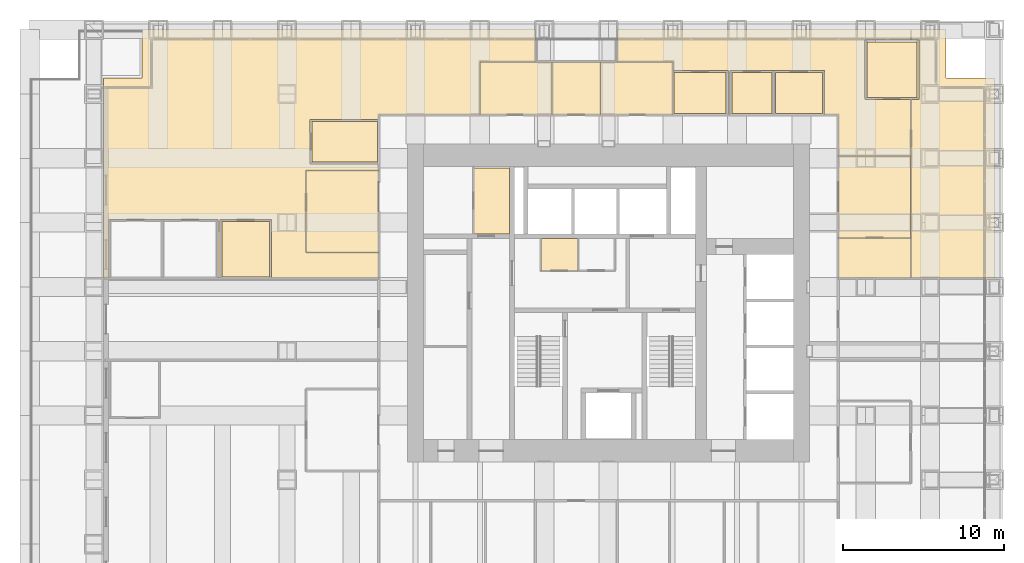
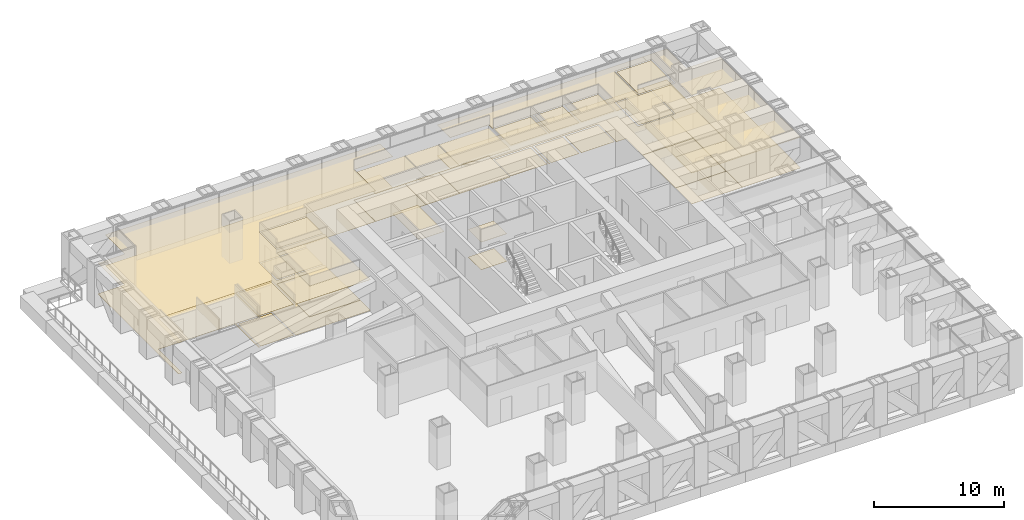
# One storey, part 18 of 18: 31 coverings.
"""IFC4 building model written with IfcOpenShell, lengths in metres."""

from ifc_helpers import new_model, si_unit, direction, frame, origin, place, context, subcontext, project, spatial, polyline, outline, extrude, material, layer, layer_set, type_object, element, save


model = new_model("IFC4")

# Units and contexts
model_context = context("Model", 3, precision=1e-05, world=origin(), true_north=direction((0.0, 1.0)))
body_context = subcontext(model_context, "Body", "Model", "MODEL_VIEW")
ifc_project = project(units=[si_unit("LENGTHUNIT", "METRE"), si_unit("AREAUNIT", "SQUARE_METRE"), si_unit("VOLUMEUNIT", "CUBIC_METRE"), si_unit("PLANEANGLEUNIT", "RADIAN"), si_unit("MASSUNIT", "GRAM", prefix="KILO")], contexts=[model_context])

# Site, building, storey
site_placement = place(None, origin())
site = spatial("IfcSite", under=ifc_project, at=site_placement, CompositionType="ELEMENT")
building_placement = place(site_placement, origin())
building = spatial("IfcBuilding", under=site, at=building_placement, Name="Rimbunsela Tower", CompositionType="ELEMENT")
storey_placement = place(building_placement, frame((0.0, 0.0, 11.0)))
storey = spatial("IfcBuildingStorey", under=building, at=storey_placement, Name="L02", CompositionType="ELEMENT", Elevation=11.0)

# Coverings
ifc_material_1 = material(Name="Nylon carpet tile", Category="textile")
ifc_layer_1 = layer(ifc_material_1, 0.010009765625)
ifc_layer_set_1 = layer_set([ifc_layer_1], Name="Carpet tile 10")
covering_type_1 = type_object("IfcCoveringType", Name="Carpet tile 10", PredefinedType="FLOORING", material=ifc_layer_set_1)
covering_1_placement = place(storey_placement, origin())
element("IfcCovering", 1, at=covering_1_placement, inside=storey, type_object=covering_type_1, Name="Floor finish Open office", PredefinedType="FLOORING", context=body_context, shape_type="SweptSolid", body=[
    extrude(outline(polyline([(11.449951171875, 35.64990234375), (15.699951171875, 35.64990234375), (15.699951171875, 35.25), (11.199951171875, 35.25), (11.199951171875, 30.14990234375), (15.699951171875, 30.14990234375), (15.699951171875, 28.551025390625), (9.030029296875, 28.551025390625), (9.030029296875, 32.199951171875), (5.830078125, 32.199951171875), (5.830078125, 28.551025390625), (5.72998046875, 28.551025390625), (5.72998046875, 32.199951171875), (2.280029296875, 32.199951171875), (2.22998046875, 32.199951171875), (-1.070068359375, 32.199951171875), (-1.070068359375, 28.551025390625), (-1.39990234375, 28.551025390625), (-1.39990234375, 41.0), (1.0, 41.0), (1.0, 44.0), (15.699951171875, 44.0), (25.448974609375, 44.0), (25.448974609375, 42.0), (22.0, 42.0), (22.0, 38.699951171875), (15.699951171875, 38.699951171875), (15.699951171875, 38.39990234375), (11.449951171875, 38.39990234375), (11.449951171875, 35.64990234375)])), origin(), (0.0, 0.0, 1.0), 0.010009765625),
])
covering_2_placement = place(storey_placement, origin())
element("IfcCovering", 2, at=covering_2_placement, inside=storey, type_object=covering_type_1, Name="Floor finish Open office", PredefinedType="FLOORING", context=body_context, shape_type="SweptSolid", body=[
    extrude(outline(polyline([(51.0, 41.0), (54.0, 41.0), (54.0, 28.551025390625), (48.824951171875, 28.551025390625), (48.824951171875, 39.669921875), (49.300048828125, 39.669921875), (49.300048828125, 43.3701171875), (48.824951171875, 43.3701171875), (48.824951171875, 44.0), (51.0, 44.0), (51.0, 41.0)])), origin(), (0.0, 0.0, 1.0), 0.010009765625),
])
covering_3_placement = place(storey_placement, origin())
element("IfcCovering", 3, at=covering_3_placement, inside=storey, type_object=covering_type_1, Name="Floor finish Open office", PredefinedType="FLOORING", context=body_context, shape_type="SweptSolid", body=[
    extrude(outline(polyline([(48.824951171875, 28.551025390625), (44.300048828125, 28.551025390625), (44.300048828125, 31.050048828125), (48.800048828125, 31.050048828125), (48.800048828125, 36.14990234375), (44.300048828125, 36.14990234375), (44.300048828125, 38.699951171875), (43.449951171875, 38.699951171875), (43.449951171875, 41.449951171875), (40.300048828125, 41.449951171875), (40.25, 41.449951171875), (37.550048828125, 41.449951171875), (37.550048828125, 38.699951171875), (37.449951171875, 38.699951171875), (37.449951171875, 41.449951171875), (34.0, 41.449951171875), (34.0, 42.0), (30.551025390625, 42.0), (30.551025390625, 44.0), (44.300048828125, 44.0), (48.824951171875, 44.0), (48.824951171875, 43.3701171875), (45.949951171875, 43.3701171875), (45.949951171875, 39.669921875), (48.824951171875, 39.669921875), (48.824951171875, 28.551025390625)])), origin(), (0.0, 0.0, 1.0), 0.010009765625),
])
covering_4_placement = place(storey_placement, origin())
element("IfcCovering", 4, at=covering_4_placement, inside=storey, type_object=covering_type_1, Name="Floor finish Reception", PredefinedType="FLOORING", context=body_context, shape_type="SweptSolid", body=[
    extrude(outline(polyline([(15.699951171875, 30.14990234375), (15.699951171875, 35.25), (11.199951171875, 35.25), (11.199951171875, 30.14990234375), (15.699951171875, 30.14990234375)])), origin(), (0.0, 0.0, 1.0), 0.010009765625),
])
covering_5_placement = place(storey_placement, origin())
element("IfcCovering", 5, at=covering_5_placement, inside=storey, type_object=covering_type_1, Name="Floor finish Reception", PredefinedType="FLOORING", context=body_context, shape_type="SweptSolid", body=[
    extrude(outline(polyline([(48.800048828125, 31.050048828125), (48.800048828125, 36.14990234375), (44.300048828125, 36.14990234375), (44.300048828125, 31.050048828125), (48.800048828125, 31.050048828125)])), origin(), (0.0, 0.0, 1.0), 0.010009765625),
])
covering_6_placement = place(storey_placement, origin())
element("IfcCovering", 6, at=covering_6_placement, inside=storey, type_object=covering_type_1, Name="Floor finish Print and copy room", PredefinedType="FLOORING", context=body_context, shape_type="SweptSolid", body=[
    extrude(outline(polyline([(15.625, 35.77490234375), (15.625, 38.27490234375), (11.574951171875, 38.27490234375), (11.574951171875, 35.77490234375), (15.625, 35.77490234375)])), origin(), (0.0, 0.0, 1.0), 0.010009765625),
])
covering_7_placement = place(storey_placement, origin())
element("IfcCovering", 7, at=covering_7_placement, inside=storey, type_object=covering_type_1, Name="Floor finish Office", PredefinedType="FLOORING", context=body_context, shape_type="SweptSolid", body=[
    extrude(outline(polyline([(8.905029296875, 28.625), (8.905029296875, 32.074951171875), (5.955078125, 32.074951171875), (5.955078125, 28.625), (8.905029296875, 28.625)])), origin(), (0.0, 0.0, 1.0), 0.010009765625),
])
covering_8_placement = place(storey_placement, origin())
element("IfcCovering", 8, at=covering_8_placement, inside=storey, type_object=covering_type_1, Name="Floor finish Interview room", PredefinedType="FLOORING", context=body_context, shape_type="SweptSolid", body=[
    extrude(outline(polyline([(49.175048828125, 39.794921875), (49.175048828125, 43.2451171875), (46.074951171875, 43.2451171875), (46.074951171875, 39.794921875), (49.175048828125, 39.794921875)])), origin(), (0.0, 0.0, 1.0), 0.010009765625),
])
covering_9_placement = place(storey_placement, origin())
element("IfcCovering", 9, at=covering_9_placement, inside=storey, type_object=covering_type_1, Name="Floor finish Pantry", PredefinedType="FLOORING", context=body_context, shape_type="SweptSolid", body=[
    extrude(outline(polyline([(37.324951171875, 38.77490234375), (37.324951171875, 41.324951171875), (34.074951171875, 41.324951171875), (34.074951171875, 38.77490234375), (37.324951171875, 38.77490234375)])), origin(), (0.0, 0.0, 1.0), 0.010009765625),
])
covering_10_placement = place(storey_placement, origin())
element("IfcCovering", 10, at=covering_10_placement, inside=storey, type_object=covering_type_1, Name="Floor finish Print and copy room", PredefinedType="FLOORING", context=body_context, shape_type="SweptSolid", body=[
    extrude(outline(polyline([(40.175048828125, 38.77490234375), (40.175048828125, 41.324951171875), (37.675048828125, 41.324951171875), (37.675048828125, 38.77490234375), (40.175048828125, 38.77490234375)])), origin(), (0.0, 0.0, 1.0), 0.010009765625),
])
covering_11_placement = place(storey_placement, origin())
element("IfcCovering", 11, at=covering_11_placement, inside=storey, type_object=covering_type_1, Name="Floor finish Office", PredefinedType="FLOORING", context=body_context, shape_type="SweptSolid", body=[
    extrude(outline(polyline([(43.324951171875, 38.77490234375), (43.324951171875, 41.324951171875), (40.375, 41.324951171875), (40.375, 38.77490234375), (43.324951171875, 38.77490234375)])), origin(), (0.0, 0.0, 1.0), 0.010009765625),
])
ifc_material_2 = material(Name="Mineral fibre ceiling tile", Category="gypsum")
ifc_layer_2 = layer(ifc_material_2, 0.02001953125)
ifc_layer_set_2 = layer_set([ifc_layer_2], Name="Ceiling 600 grid")
covering_type_2 = type_object("IfcCoveringType", Name="Ceiling 600 grid", PredefinedType="CEILING", material=ifc_layer_set_2)
covering_12_placement = place(storey_placement, frame((0.0, 0.0, 2.89990234375)))
element("IfcCovering", 12, at=covering_12_placement, inside=storey, type_object=covering_type_2, Name="Ceiling Staff pantry", PredefinedType="CEILING", context=body_context, shape_type="SweptSolid", body=[
    extrude(outline(polyline([(23.85009765625, 31.300048828125), (23.85009765625, 35.39990234375), (21.60009765625, 35.39990234375), (21.60009765625, 31.300048828125), (23.85009765625, 31.300048828125)])), origin(), (0.0, 0.0, 1.0), 0.02001953125),
])
covering_13_placement = place(storey_placement, frame((0.0, 0.0, 2.89990234375)))
element("IfcCovering", 13, at=covering_13_placement, inside=storey, type_object=covering_type_2, Name="Ceiling Open office", PredefinedType="CEILING", context=body_context, shape_type="SweptSolid", body=[
    extrude(outline(polyline([(11.449951171875, 35.64990234375), (15.699951171875, 35.64990234375), (15.699951171875, 35.25), (11.199951171875, 35.25), (11.199951171875, 30.14990234375), (15.699951171875, 30.14990234375), (15.699951171875, 28.551025390625), (9.030029296875, 28.551025390625), (9.030029296875, 32.199951171875), (5.830078125, 32.199951171875), (5.830078125, 28.551025390625), (5.72998046875, 28.551025390625), (5.72998046875, 32.199951171875), (2.280029296875, 32.199951171875), (2.22998046875, 32.199951171875), (-1.070068359375, 32.199951171875), (-1.070068359375, 28.551025390625), (-1.39990234375, 28.551025390625), (-1.39990234375, 41.0), (1.0, 41.0), (1.0, 44.0), (15.699951171875, 44.0), (25.448974609375, 44.0), (25.448974609375, 42.0), (22.0, 42.0), (22.0, 38.699951171875), (15.699951171875, 38.699951171875), (15.699951171875, 38.39990234375), (11.449951171875, 38.39990234375), (11.449951171875, 35.64990234375)])), origin(), (0.0, 0.0, 1.0), 0.02001953125),
])
covering_14_placement = place(storey_placement, frame((0.0, 0.0, 2.89990234375)))
element("IfcCovering", 14, at=covering_14_placement, inside=storey, type_object=covering_type_2, Name="Ceiling Open office", PredefinedType="CEILING", context=body_context, shape_type="SweptSolid", body=[
    extrude(outline(polyline([(51.0, 41.0), (54.0, 41.0), (54.0, 28.551025390625), (48.824951171875, 28.551025390625), (48.824951171875, 39.669921875), (49.300048828125, 39.669921875), (49.300048828125, 43.3701171875), (48.824951171875, 43.3701171875), (48.824951171875, 44.0), (51.0, 44.0), (51.0, 41.0)])), origin(), (0.0, 0.0, 1.0), 0.02001953125),
])
covering_15_placement = place(storey_placement, frame((0.0, 0.0, 2.89990234375)))
element("IfcCovering", 15, at=covering_15_placement, inside=storey, type_object=covering_type_2, Name="Ceiling Open office", PredefinedType="CEILING", context=body_context, shape_type="SweptSolid", body=[
    extrude(outline(polyline([(48.824951171875, 28.551025390625), (44.300048828125, 28.551025390625), (44.300048828125, 31.050048828125), (48.800048828125, 31.050048828125), (48.800048828125, 36.14990234375), (44.300048828125, 36.14990234375), (44.300048828125, 38.699951171875), (43.449951171875, 38.699951171875), (43.449951171875, 41.449951171875), (40.300048828125, 41.449951171875), (40.25, 41.449951171875), (37.550048828125, 41.449951171875), (37.550048828125, 38.699951171875), (37.449951171875, 38.699951171875), (37.449951171875, 41.449951171875), (34.0, 41.449951171875), (34.0, 42.0), (30.551025390625, 42.0), (30.551025390625, 44.0), (44.300048828125, 44.0), (48.824951171875, 44.0), (48.824951171875, 43.3701171875), (45.949951171875, 43.3701171875), (45.949951171875, 39.669921875), (48.824951171875, 39.669921875), (48.824951171875, 28.551025390625)])), origin(), (0.0, 0.0, 1.0), 0.02001953125),
])
covering_16_placement = place(storey_placement, frame((0.0, 0.0, 2.89990234375)))
element("IfcCovering", 16, at=covering_16_placement, inside=storey, type_object=covering_type_2, Name="Ceiling Reception", PredefinedType="CEILING", context=body_context, shape_type="SweptSolid", body=[
    extrude(outline(polyline([(15.699951171875, 30.14990234375), (15.699951171875, 35.25), (11.199951171875, 35.25), (11.199951171875, 30.14990234375), (15.699951171875, 30.14990234375)])), origin(), (0.0, 0.0, 1.0), 0.02001953125),
])
covering_17_placement = place(storey_placement, frame((0.0, 0.0, 2.89990234375)))
element("IfcCovering", 17, at=covering_17_placement, inside=storey, type_object=covering_type_2, Name="Ceiling Reception", PredefinedType="CEILING", context=body_context, shape_type="SweptSolid", body=[
    extrude(outline(polyline([(48.800048828125, 31.050048828125), (48.800048828125, 36.14990234375), (44.300048828125, 36.14990234375), (44.300048828125, 31.050048828125), (48.800048828125, 31.050048828125)])), origin(), (0.0, 0.0, 1.0), 0.02001953125),
])
covering_18_placement = place(storey_placement, frame((0.0, 0.0, 2.89990234375)))
element("IfcCovering", 18, at=covering_18_placement, inside=storey, type_object=covering_type_2, Name="Ceiling Print and copy room", PredefinedType="CEILING", context=body_context, shape_type="SweptSolid", body=[
    extrude(outline(polyline([(15.625, 35.77490234375), (15.625, 38.27490234375), (11.574951171875, 38.27490234375), (11.574951171875, 35.77490234375), (15.625, 35.77490234375)])), origin(), (0.0, 0.0, 1.0), 0.02001953125),
])
covering_19_placement = place(storey_placement, frame((0.0, 0.0, 2.89990234375)))
element("IfcCovering", 19, at=covering_19_placement, inside=storey, type_object=covering_type_2, Name="Ceiling Office", PredefinedType="CEILING", context=body_context, shape_type="SweptSolid", body=[
    extrude(outline(polyline([(8.905029296875, 28.625), (8.905029296875, 32.074951171875), (5.955078125, 32.074951171875), (5.955078125, 28.625), (8.905029296875, 28.625)])), origin(), (0.0, 0.0, 1.0), 0.02001953125),
])
covering_20_placement = place(storey_placement, frame((0.0, 0.0, 2.89990234375)))
element("IfcCovering", 20, at=covering_20_placement, inside=storey, type_object=covering_type_2, Name="Ceiling Interview room", PredefinedType="CEILING", context=body_context, shape_type="SweptSolid", body=[
    extrude(outline(polyline([(49.175048828125, 39.794921875), (49.175048828125, 43.2451171875), (46.074951171875, 43.2451171875), (46.074951171875, 39.794921875), (49.175048828125, 39.794921875)])), origin(), (0.0, 0.0, 1.0), 0.02001953125),
])
covering_21_placement = place(storey_placement, frame((0.0, 0.0, 2.89990234375)))
element("IfcCovering", 21, at=covering_21_placement, inside=storey, type_object=covering_type_2, Name="Ceiling Pantry", PredefinedType="CEILING", context=body_context, shape_type="SweptSolid", body=[
    extrude(outline(polyline([(37.324951171875, 38.77490234375), (37.324951171875, 41.324951171875), (34.074951171875, 41.324951171875), (34.074951171875, 38.77490234375), (37.324951171875, 38.77490234375)])), origin(), (0.0, 0.0, 1.0), 0.02001953125),
])
covering_22_placement = place(storey_placement, frame((0.0, 0.0, 2.89990234375)))
element("IfcCovering", 22, at=covering_22_placement, inside=storey, type_object=covering_type_2, Name="Ceiling Print and copy room", PredefinedType="CEILING", context=body_context, shape_type="SweptSolid", body=[
    extrude(outline(polyline([(40.175048828125, 38.77490234375), (40.175048828125, 41.324951171875), (37.675048828125, 41.324951171875), (37.675048828125, 38.77490234375), (40.175048828125, 38.77490234375)])), origin(), (0.0, 0.0, 1.0), 0.02001953125),
])
covering_23_placement = place(storey_placement, frame((0.0, 0.0, 2.89990234375)))
element("IfcCovering", 23, at=covering_23_placement, inside=storey, type_object=covering_type_2, Name="Ceiling Office", PredefinedType="CEILING", context=body_context, shape_type="SweptSolid", body=[
    extrude(outline(polyline([(43.324951171875, 38.77490234375), (43.324951171875, 41.324951171875), (40.375, 41.324951171875), (40.375, 38.77490234375), (43.324951171875, 38.77490234375)])), origin(), (0.0, 0.0, 1.0), 0.02001953125),
])
ifc_material_3 = material(Name="Moisture-resistant plasterboard ceiling", Category="gypsum")
ifc_layer_3 = layer(ifc_material_3, 0.012451171875)
ifc_layer_set_3 = layer_set([ifc_layer_3], Name="Ceiling moisture-resistant board")
covering_type_3 = type_object("IfcCoveringType", Name="Ceiling moisture-resistant board", PredefinedType="CEILING", material=ifc_layer_set_3)
covering_24_placement = place(storey_placement, frame((0.0, 0.0, 2.60009765625)))
element("IfcCovering", 24, at=covering_24_placement, inside=storey, type_object=covering_type_3, Name="Ceiling Staff WC", PredefinedType="CEILING", context=body_context, shape_type="SweptSolid", body=[
    extrude(outline(polyline([(28.10009765625, 29.0), (28.10009765625, 31.0), (25.800048828125, 31.0), (25.800048828125, 29.0), (28.10009765625, 29.0)])), origin(), (0.0, 0.0, 1.0), 0.02001953125),
])
covering_25_placement = place(storey_placement, frame((0.0, 0.0, 2.60009765625)))
element("IfcCovering", 25, at=covering_25_placement, inside=storey, type_object=covering_type_3, Name="Ceiling Female WC", PredefinedType="CEILING", context=body_context, shape_type="SweptSolid", body=[
    extrude(outline(polyline([(26.5, 38.699951171875), (26.5, 42.0), (22.0, 42.0), (22.0, 38.699951171875), (26.5, 38.699951171875)])), origin(), (0.0, 0.0, 1.0), 0.02001953125),
])
covering_26_placement = place(storey_placement, frame((0.0, 0.0, 2.60009765625)))
element("IfcCovering", 26, at=covering_26_placement, inside=storey, type_object=covering_type_3, Name="Ceiling Accessible WC", PredefinedType="CEILING", context=body_context, shape_type="SweptSolid", body=[
    extrude(outline(polyline([(29.5, 38.699951171875), (29.5, 42.0), (26.5, 42.0), (26.5, 38.699951171875), (29.5, 38.699951171875)])), origin(), (0.0, 0.0, 1.0), 0.02001953125),
])
covering_27_placement = place(storey_placement, frame((0.0, 0.0, 2.60009765625)))
element("IfcCovering", 27, at=covering_27_placement, inside=storey, type_object=covering_type_3, Name="Ceiling Male WC", PredefinedType="CEILING", context=body_context, shape_type="SweptSolid", body=[
    extrude(outline(polyline([(34.0, 38.699951171875), (34.0, 42.0), (29.5, 42.0), (29.5, 38.699951171875), (34.0, 38.699951171875)])), origin(), (0.0, 0.0, 1.0), 0.02001953125),
])
ifc_material_4 = material(Name="Porcelain floor tile in adhesive bed", Category="ceramic")
ifc_layer_4 = layer(ifc_material_4, 0.02001953125)
ifc_layer_set_4 = layer_set([ifc_layer_4], Name="Porcelain tile 20")
covering_type_4 = type_object("IfcCoveringType", Name="Porcelain tile 20", PredefinedType="FLOORING", material=ifc_layer_set_4)
covering_28_placement = place(storey_placement, origin())
element("IfcCovering", 28, at=covering_28_placement, inside=storey, type_object=covering_type_4, Name="Floor finish Staff WC", PredefinedType="FLOORING", context=body_context, shape_type="SweptSolid", body=[
    extrude(outline(polyline([(28.10009765625, 29.0), (28.10009765625, 31.0), (25.800048828125, 31.0), (25.800048828125, 29.0), (28.10009765625, 29.0)])), origin(), (0.0, 0.0, 1.0), 0.02001953125),
])
covering_29_placement = place(storey_placement, origin())
element("IfcCovering", 29, at=covering_29_placement, inside=storey, type_object=covering_type_4, Name="Floor finish Female WC", PredefinedType="FLOORING", context=body_context, shape_type="SweptSolid", body=[
    extrude(outline(polyline([(26.5, 38.699951171875), (26.5, 42.0), (22.0, 42.0), (22.0, 38.699951171875), (26.5, 38.699951171875)])), origin(), (0.0, 0.0, 1.0), 0.02001953125),
])
covering_30_placement = place(storey_placement, origin())
element("IfcCovering", 30, at=covering_30_placement, inside=storey, type_object=covering_type_4, Name="Floor finish Accessible WC", PredefinedType="FLOORING", context=body_context, shape_type="SweptSolid", body=[
    extrude(outline(polyline([(29.5, 38.699951171875), (29.5, 42.0), (26.5, 42.0), (26.5, 38.699951171875), (29.5, 38.699951171875)])), origin(), (0.0, 0.0, 1.0), 0.02001953125),
])
covering_31_placement = place(storey_placement, origin())
element("IfcCovering", 31, at=covering_31_placement, inside=storey, type_object=covering_type_4, Name="Floor finish Male WC", PredefinedType="FLOORING", context=body_context, shape_type="SweptSolid", body=[
    extrude(outline(polyline([(34.0, 38.699951171875), (34.0, 42.0), (29.5, 42.0), (29.5, 38.699951171875), (34.0, 38.699951171875)])), origin(), (0.0, 0.0, 1.0), 0.02001953125),
])

save(model, "model.ifc")
